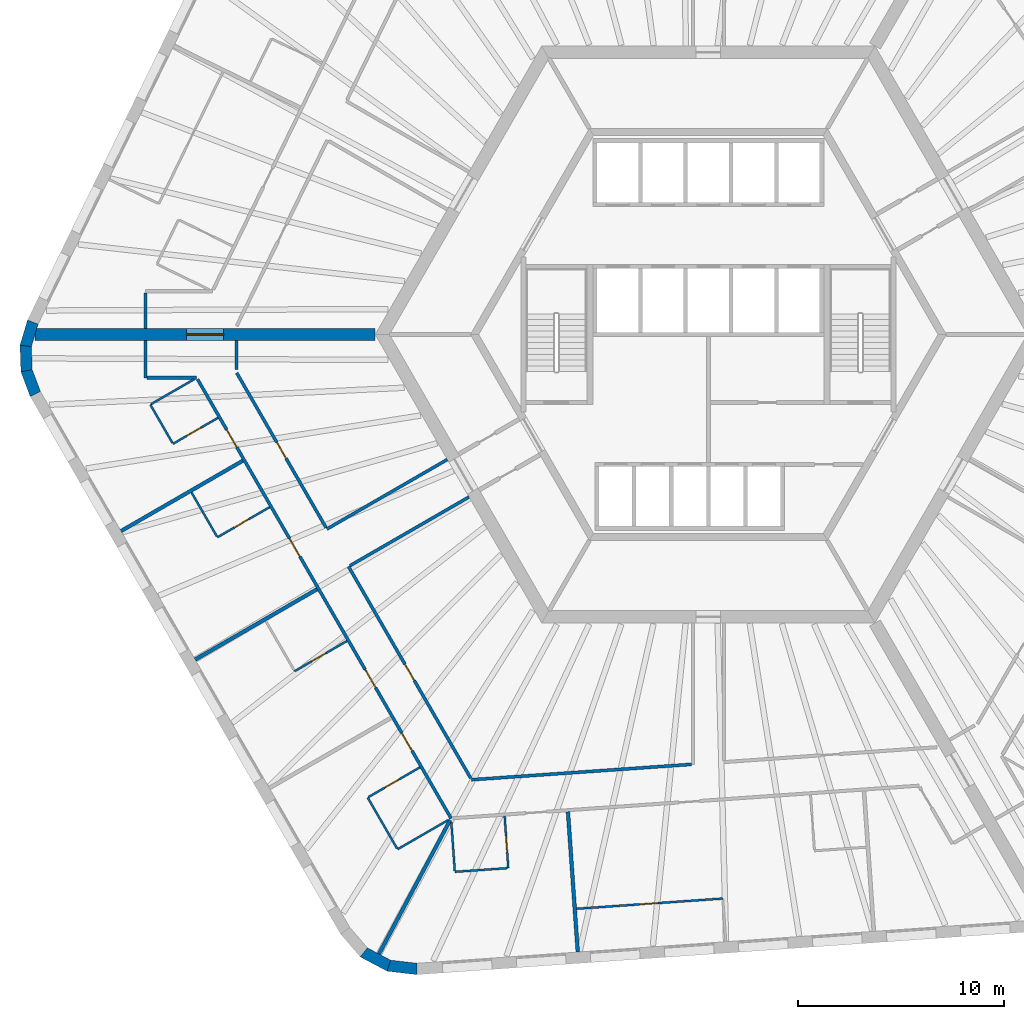
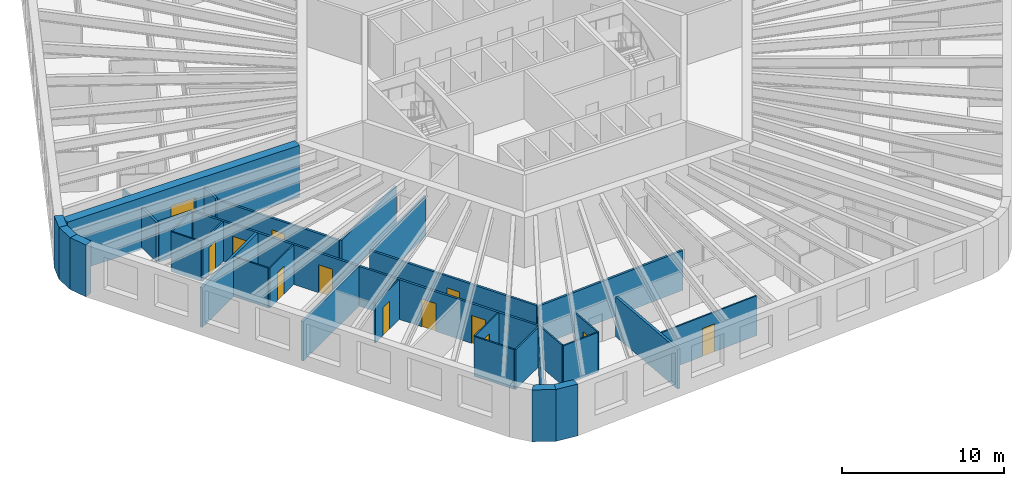
# One storey, part 3 of 12: 33 walls, 13 doors, 13 openings.
"""IFC4 building model written with IfcOpenShell, lengths in metres."""

from ifc_helpers import new_model, si_unit, direction, frame, frame_2d, origin, place, context, subcontext, project, spatial, polyline, rectangle, outline, extrude, material, layer, layer_set, type_object, element, fill, save


model = new_model("IFC4")

# Units and contexts
model_context = context("Model", 3, precision=1e-05, world=origin(), true_north=direction((0.0, 1.0)))
body_context = subcontext(model_context, "Body", "Model", "MODEL_VIEW")
ifc_project = project(units=[si_unit("LENGTHUNIT", "METRE"), si_unit("AREAUNIT", "SQUARE_METRE"), si_unit("VOLUMEUNIT", "CUBIC_METRE"), si_unit("PLANEANGLEUNIT", "RADIAN"), si_unit("MASSUNIT", "GRAM", prefix="KILO")], contexts=[model_context])

# Site, building, storey
site_placement = place(None, origin())
site = spatial("IfcSite", under=ifc_project, at=site_placement, CompositionType="ELEMENT")
building_placement = place(site_placement, origin())
building = spatial("IfcBuilding", under=site, at=building_placement, Name="Tarnside Tower", CompositionType="ELEMENT")
storey_placement = place(building_placement, frame((0.0, 0.0, 53.10009765625)))
storey = spatial("IfcBuildingStorey", under=building, at=storey_placement, Name="L10", CompositionType="ELEMENT", Elevation=53.10009765625)

# Wall, opening, door
ifc_material_1 = material(Name="Gypsum board partition on steel studs", Category="steel")
ifc_layer_1 = layer(ifc_material_1, 0.10009765625)
ifc_layer_set_1 = layer_set([ifc_layer_1], Name="Bathroom wall 100")
wall_type_1 = type_object("IfcWallType", Name="Bathroom wall 100", PredefinedType="PARTITIONING", material=ifc_layer_set_1)
wall_1_placement = place(storey_placement, frame((-23.791015625, -4.042724609375, 0.0), z_axis=(0.0, 0.0, 1.0), x_axis=(-0.866039067339, -0.499976333282, 0.0)))
wall_1 = element("IfcWall", 1, at=wall_1_placement, inside=storey, type_object=wall_type_1, Name="Bathroom wall 02101", PredefinedType="PARTITIONING", context=body_context, shape_type="SweptSolid", body=[
    extrude(rectangle(XDim=2.52490234375, YDim=0.10009765625, at=frame_2d((1.262451171875, 0.0))), origin(), (0.0, 0.0, 1.0), 2.98779296875),
])
opening_1_placement = place(wall_1_placement, frame((0.955078125, 0.0, 0.0)))
opening_1 = element("IfcOpeningElement", 2, at=opening_1_placement, cuts=wall_1, Name="Opening D-B1", PredefinedType="OPENING", context=body_context, shape_type="SweptSolid", body=[
    extrude(rectangle(XDim=0.800048828125, YDim=2.10009765625, at=frame_2d((0.39990234375, 1.050048828125))), frame((0.0, 0.06005859375, 0.0), z_axis=(0.0, -1.0, 0.0), x_axis=(1.0, 0.0, 0.0)), (0.0, 0.0, 1.0), 0.1201171875),
])
ifc_material_2 = material(Name="Timber door leaf", Category="wood")
door_type_1 = type_object("IfcDoorType", Name="Bathroom door 800", OperationType="NOTDEFINED", PredefinedType="DOOR", material=ifc_material_2)
door_1_placement = place(opening_1_placement, origin())
door_1 = element("IfcDoor", 3, at=door_1_placement, inside=storey, type_object=door_type_1, Name="Bathroom door 02015", OperationType="SINGLE_SWING_LEFT", OverallHeight=2.10009765625, OverallWidth=0.800048828125, PredefinedType="DOOR", context=body_context, shape_type="SweptSolid", body=[
    extrude(rectangle(XDim=0.800048828125, YDim=2.10009765625, at=frame_2d((0.39990234375, 1.050048828125))), frame((0.0, 0.02490234375, 0.0), z_axis=(0.0, -1.0, 0.0), x_axis=(1.0, 0.0, 0.0)), (0.0, 0.0, 1.0), 0.050048828125),
])
fill(opening_1, door_1)

# Walls
wall_2_placement = place(storey_placement, frame((-26.002685546875, -5.261962890625, 0.0), z_axis=(0.0, 0.0, 1.0), x_axis=(-0.499961633463, 0.866047553582, 0.0)))
element("IfcWall", 4, at=wall_2_placement, inside=storey, type_object=wall_type_1, Name="Bathroom wall 02102", PredefinedType="PARTITIONING", context=body_context, shape_type="SweptSolid", body=[
    extrude(rectangle(XDim=2.150146484375, YDim=0.10009765625, at=frame_2d((1.0751953125, 0.0))), origin(), (0.0, 0.0, 1.0), 2.98779296875),
])
wall_3_placement = place(storey_placement, frame((-27.034423828125, -3.375, 0.0), z_axis=(0.0, 0.0, 1.0), x_axis=(0.866024647952, 0.500001309137, 0.0)))
element("IfcWall", 5, at=wall_3_placement, inside=storey, type_object=wall_type_1, Name="Bathroom wall 02103", PredefinedType="PARTITIONING", context=body_context, shape_type="SweptSolid", body=[
    extrude(rectangle(XDim=2.39990234375, YDim=0.10009765625, at=frame_2d((1.199951171875, 0.0))), origin(), (0.0, 0.0, 1.0), 2.98779296875),
])

# Wall, opening, door
wall_4_placement = place(storey_placement, frame((-21.288330078125, -8.377685546875, 0.0), z_axis=(0.0, 0.0, 1.0), x_axis=(-0.866046596414, -0.499963291492, 0.0)))
wall_4 = element("IfcWall", 6, at=wall_4_placement, inside=storey, type_object=wall_type_1, Name="Bathroom wall 02106", PredefinedType="PARTITIONING", context=body_context, shape_type="SweptSolid", body=[
    extrude(rectangle(XDim=2.925048828125, YDim=0.10009765625, at=frame_2d((1.46240234375, 0.0))), origin(), (0.0, 0.0, 1.0), 2.98779296875),
])
opening_2_placement = place(wall_4_placement, frame((1.175048828125, 0.0, 0.0)))
opening_2 = element("IfcOpeningElement", 7, at=opening_2_placement, cuts=wall_4, Name="Opening D-B1", PredefinedType="OPENING", context=body_context, shape_type="SweptSolid", body=[
    extrude(rectangle(XDim=0.800048828125, YDim=2.10009765625, at=frame_2d((0.39990234375, 1.050048828125))), frame((0.0, 0.06005859375, 0.0), z_axis=(0.0, -1.0, 0.0), x_axis=(1.0, 0.0, 0.0)), (0.0, 0.0, 1.0), 0.1201171875),
])
door_2_placement = place(opening_2_placement, origin())
door_2 = element("IfcDoor", 8, at=door_2_placement, inside=storey, type_object=door_type_1, Name="Bathroom door 02017", OperationType="SINGLE_SWING_LEFT", OverallHeight=2.10009765625, OverallWidth=0.800048828125, PredefinedType="DOOR", context=body_context, shape_type="SweptSolid", body=[
    extrude(rectangle(XDim=0.800048828125, YDim=2.10009765625, at=frame_2d((0.39990234375, 1.050048828125))), frame((0.0, 0.02490234375, 0.0), z_axis=(0.0, -1.0, 0.0), x_axis=(1.0, 0.0, 0.0)), (0.0, 0.0, 1.0), 0.050048828125),
])
fill(opening_2, door_2)

# Wall
wall_5_placement = place(storey_placement, frame((-23.846435546875, -9.796875, 0.0), z_axis=(0.0, 0.0, 1.0), x_axis=(-0.499960120811, 0.86604842682, 0.0)))
element("IfcWall", 9, at=wall_5_placement, inside=storey, type_object=wall_type_1, Name="Bathroom wall 02107", PredefinedType="PARTITIONING", context=body_context, shape_type="SweptSolid", body=[
    extrude(rectangle(XDim=2.460205078125, YDim=0.10009765625, at=frame_2d((1.22998046875, 0.0))), origin(), (0.0, 0.0, 1.0), 2.98779296875),
])

# Wall, opening, door
wall_6_placement = place(storey_placement, frame((-17.538330078125, -14.872802734375, 0.0), z_axis=(0.0, 0.0, 1.0), x_axis=(-0.866046596414, -0.499963291492, 0.0)))
wall_6 = element("IfcWall", 10, at=wall_6_placement, inside=storey, type_object=wall_type_1, Name="Bathroom wall 02110", PredefinedType="PARTITIONING", context=body_context, shape_type="SweptSolid", body=[
    extrude(rectangle(XDim=2.925048828125, YDim=0.10009765625, at=frame_2d((1.46240234375, 0.0))), origin(), (0.0, 0.0, 1.0), 2.98779296875),
])
opening_3_placement = place(wall_6_placement, frame((1.175048828125, 0.0, 0.0)))
opening_3 = element("IfcOpeningElement", 11, at=opening_3_placement, cuts=wall_6, Name="Opening D-B1", PredefinedType="OPENING", context=body_context, shape_type="SweptSolid", body=[
    extrude(rectangle(XDim=0.800048828125, YDim=2.10009765625, at=frame_2d((0.39990234375, 1.050048828125))), frame((0.0, 0.06005859375, 0.0), z_axis=(0.0, -1.0, 0.0), x_axis=(1.0, 0.0, 0.0)), (0.0, 0.0, 1.0), 0.1201171875),
])
door_3_placement = place(opening_3_placement, origin())
door_3 = element("IfcDoor", 12, at=door_3_placement, inside=storey, type_object=door_type_1, Name="Bathroom door 02019", OperationType="SINGLE_SWING_LEFT", OverallHeight=2.10009765625, OverallWidth=0.800048828125, PredefinedType="DOOR", context=body_context, shape_type="SweptSolid", body=[
    extrude(rectangle(XDim=0.800048828125, YDim=2.10009765625, at=frame_2d((0.39990234375, 1.050048828125))), frame((0.0, 0.02490234375, 0.0), z_axis=(0.0, -1.0, 0.0), x_axis=(1.0, 0.0, 0.0)), (0.0, 0.0, 1.0), 0.050048828125),
])
fill(opening_3, door_3)

# Walls
wall_7_placement = place(storey_placement, frame((-12.631591796875, -23.5634765625, 0.0), z_axis=(0.0, 0.0, 1.0), x_axis=(-0.866014564827, -0.500018773155, 0.0)))
element("IfcWall", 13, at=wall_7_placement, inside=storey, type_object=wall_type_1, Name="Bathroom wall 02113", PredefinedType="PARTITIONING", context=body_context, shape_type="SweptSolid", body=[
    extrude(rectangle(XDim=2.8291015625, YDim=0.10009765625, at=frame_2d((1.41455078125, 0.0))), origin(), (0.0, 0.0, 1.0), 2.98779296875),
])
wall_8_placement = place(storey_placement, frame((-15.1064453125, -24.9345703125, 0.0), z_axis=(0.0, 0.0, 1.0), x_axis=(-0.500036373335, 0.866004402611, 0.0)))
element("IfcWall", 14, at=wall_8_placement, inside=storey, type_object=wall_type_1, Name="Bathroom wall 02114", PredefinedType="PARTITIONING", context=body_context, shape_type="SweptSolid", body=[
    extrude(rectangle(XDim=2.849853515625, YDim=0.10009765625, at=frame_2d((1.4248046875, 0.0))), origin(), (0.0, 0.0, 1.0), 2.98779296875),
])

# Wall, opening, door
wall_9_placement = place(storey_placement, frame((-16.48828125, -22.44140625, 0.0), z_axis=(0.0, 0.0, 1.0), x_axis=(0.866018712932, 0.500011588718, 0.0)))
wall_9 = element("IfcWall", 15, at=wall_9_placement, inside=storey, type_object=wall_type_1, Name="Bathroom wall 02115", PredefinedType="PARTITIONING", context=body_context, shape_type="SweptSolid", body=[
    extrude(rectangle(XDim=2.875, YDim=0.10009765625, at=frame_2d((1.4375, 0.0))), origin(), (0.0, 0.0, 1.0), 2.98779296875),
])
opening_4_placement = place(wall_9_placement, frame((0.89990234375, 0.0, 0.0)))
opening_4 = element("IfcOpeningElement", 16, at=opening_4_placement, cuts=wall_9, Name="Opening D-B1", PredefinedType="OPENING", context=body_context, shape_type="SweptSolid", body=[
    extrude(rectangle(XDim=0.800048828125, YDim=2.10009765625, at=frame_2d((0.39990234375, 1.050048828125))), frame((0.0, 0.06005859375, 0.0), z_axis=(0.0, -1.0, 0.0), x_axis=(1.0, 0.0, 0.0)), (0.0, 0.0, 1.0), 0.1201171875),
])
door_4_placement = place(opening_4_placement, origin())
door_4 = element("IfcDoor", 17, at=door_4_placement, inside=storey, type_object=door_type_1, Name="Bathroom door 02021", OperationType="SINGLE_SWING_RIGHT", OverallHeight=2.10009765625, OverallWidth=0.800048828125, PredefinedType="DOOR", context=body_context, shape_type="SweptSolid", body=[
    extrude(rectangle(XDim=0.800048828125, YDim=2.10009765625, at=frame_2d((0.39990234375, 1.050048828125))), frame((0.0, 0.02490234375, 0.0), z_axis=(0.0, -1.0, 0.0), x_axis=(1.0, 0.0, 0.0)), (0.0, 0.0, 1.0), 0.050048828125),
])
fill(opening_4, door_4)

wall_10_placement = place(storey_placement, frame((-9.884521484375, -23.371337890625, 0.0), z_axis=(0.0, 0.0, 1.0), x_axis=(0.069707901556, -0.99756744557, 0.0)))
wall_10 = element("IfcWall", 18, at=wall_10_placement, inside=storey, type_object=wall_type_1, Name="Bathroom wall 02117", PredefinedType="PARTITIONING", context=body_context, shape_type="SweptSolid", body=[
    extrude(rectangle(XDim=2.525146484375, YDim=0.10009765625, at=frame_2d((1.2626953125, 0.0))), origin(), (0.0, 0.0, 1.0), 2.98779296875),
])
opening_5_placement = place(wall_10_placement, frame((0.955078125, 0.0, 0.0)))
opening_5 = element("IfcOpeningElement", 19, at=opening_5_placement, cuts=wall_10, Name="Opening D-B1", PredefinedType="OPENING", context=body_context, shape_type="SweptSolid", body=[
    extrude(rectangle(XDim=0.800048828125, YDim=2.10009765625, at=frame_2d((0.39990234375, 1.050048828125))), frame((0.0, 0.06005859375, 0.0), z_axis=(0.0, -1.0, 0.0), x_axis=(1.0, 0.0, 0.0)), (0.0, 0.0, 1.0), 0.1201171875),
])
door_5_placement = place(opening_5_placement, origin())
door_5 = element("IfcDoor", 20, at=door_5_placement, inside=storey, type_object=door_type_1, Name="Bathroom door 02023", OperationType="SINGLE_SWING_LEFT", OverallHeight=2.10009765625, OverallWidth=0.800048828125, PredefinedType="DOOR", context=body_context, shape_type="SweptSolid", body=[
    extrude(rectangle(XDim=0.800048828125, YDim=2.10009765625, at=frame_2d((0.39990234375, 1.050048828125))), frame((0.0, 0.02490234375, 0.0), z_axis=(0.0, -1.0, 0.0), x_axis=(1.0, 0.0, 0.0)), (0.0, 0.0, 1.0), 0.050048828125),
])
fill(opening_5, door_5)

# Walls
wall_11_placement = place(storey_placement, frame((-9.75830078125, -25.893798828125, 0.0), z_axis=(0.0, 0.0, 1.0), x_axis=(-0.997561167558, -0.069797686069, 0.0)))
element("IfcWall", 21, at=wall_11_placement, inside=storey, type_object=wall_type_1, Name="Bathroom wall 02118", PredefinedType="PARTITIONING", context=body_context, shape_type="SweptSolid", body=[
    extrude(rectangle(XDim=2.5498046875, YDim=0.10009765625, at=frame_2d((1.27490234375, 0.0))), origin(), (0.0, 0.0, 1.0), 2.98779296875),
])
wall_12_placement = place(storey_placement, frame((-12.3056640625, -26.021728515625, 0.0), z_axis=(0.0, 0.0, 1.0), x_axis=(-0.069686144822, 0.997568965646, 0.0)))
element("IfcWall", 22, at=wall_12_placement, inside=storey, type_object=wall_type_1, Name="Bathroom wall 02119", PredefinedType="PARTITIONING", context=body_context, shape_type="SweptSolid", body=[
    extrude(rectangle(XDim=2.37890625, YDim=0.10009765625, at=frame_2d((1.189453125, 0.0))), origin(), (0.0, 0.0, 1.0), 2.98779296875),
])

# Wall, opening, door
ifc_material_3 = material(Name="Concrete C80/95", Category="concrete")
ifc_layer_2 = layer(ifc_material_3, 0.60009765625)
ifc_layer_set_2 = layer_set([ifc_layer_2], Name="Core wall Z1 600 C80/95")
wall_type_2 = type_object("IfcWallType", Name="Core wall Z1 600 C80/95", PredefinedType="SHEAR", material=ifc_layer_set_2)
wall_13_placement = place(storey_placement, frame((-16.165771484375, 0.0, -0.150146484375), z_axis=(0.0, 0.0, 1.0), x_axis=(-1.0, 0.0, 0.0)))
wall_13 = element("IfcWall", 23, at=wall_13_placement, inside=storey, type_object=wall_type_2, Name="L10 spine wall 2", PredefinedType="SHEAR", context=body_context, shape_type="SweptSolid", body=[
    extrude(rectangle(XDim=16.509033203125, YDim=0.60009765625, at=frame_2d((8.25439453125, 0.0))), origin(), (0.0, 0.0, 1.0), 3.900146484375),
])
opening_6_placement = place(wall_13_placement, frame((7.3544921875, 0.0, 0.14990234375)))
opening_6 = element("IfcOpeningElement", 24, at=opening_6_placement, cuts=wall_13, Name="Opening CD-SPN", PredefinedType="OPENING", context=body_context, shape_type="SweptSolid", body=[
    extrude(rectangle(XDim=1.800048828125, YDim=2.39990234375, at=frame_2d((0.89990234375, 1.199951171875))), frame((0.0, 0.31005859375, 0.0), z_axis=(0.0, -1.0, 0.0), x_axis=(1.0, 0.0, 0.0)), (0.0, 0.0, 1.0), 0.6201171875),
])
ifc_material_4 = material(Name="Steel fire door", Category="steel")
door_type_2 = type_object("IfcDoorType", Name="Spine passage double door FD60 1800x2400", OperationType="NOTDEFINED", PredefinedType="DOOR", material=ifc_material_4)
door_6_placement = place(opening_6_placement, origin())
door_6 = element("IfcDoor", 25, at=door_6_placement, inside=storey, type_object=door_type_2, Name="L10 spine passage door 2", OperationType="DOUBLE_DOOR_SINGLE_SWING", OverallHeight=2.39990234375, OverallWidth=1.800048828125, PredefinedType="DOOR", context=body_context, shape_type="SweptSolid", body=[
    extrude(rectangle(XDim=1.800048828125, YDim=2.39990234375, at=frame_2d((0.89990234375, 1.199951171875))), frame((0.0, 0.02490234375, 0.0), z_axis=(0.0, -1.0, 0.0), x_axis=(1.0, 0.0, 0.0)), (0.0, 0.0, 1.0), 0.050048828125),
])
fill(opening_6, door_6)

# Walls
ifc_layer_3 = layer(ifc_material_1, 0.14990234375)
ifc_layer_set_3 = layer_set([ifc_layer_3], Name="Corridor wall 150 EI 60")
wall_type_3 = type_object("IfcWallType", Name="Corridor wall 150 EI 60", PredefinedType="PARTITIONING", material=ifc_layer_set_3)
wall_14_placement = place(storey_placement, frame((-27.3203125, 2.02490234375, 0.0), z_axis=(0.0, 0.0, 1.0), x_axis=(0.0, -1.0, 0.0)))
element("IfcWall", 26, at=wall_14_placement, inside=storey, type_object=wall_type_3, Name="Corridor wall 02010", PredefinedType="PARTITIONING", context=body_context, shape_type="SweptSolid", body=[
    extrude(rectangle(XDim=1.724853515625, YDim=0.14990234375, at=frame_2d((0.8623046875, 0.0))), origin(), (0.0, 0.0, 1.0), 2.98779296875),
])
wall_15_placement = place(storey_placement, frame((-27.3203125, -0.300048828125, 0.0), z_axis=(0.0, 0.0, 1.0), x_axis=(0.0, -1.0, 0.0)))
element("IfcWall", 27, at=wall_15_placement, inside=storey, type_object=wall_type_3, Name="Corridor wall 02022", PredefinedType="PARTITIONING", context=body_context, shape_type="SweptSolid", body=[
    extrude(rectangle(XDim=1.800048828125, YDim=0.14990234375, at=frame_2d((0.89990234375, 0.0))), origin(), (0.0, 0.0, 1.0), 2.98779296875),
])
wall_16_placement = place(storey_placement, frame((-27.245361328125, -2.10009765625, 0.0), z_axis=(0.0, 0.0, 1.0), x_axis=(1.0, 0.0, 0.0)))
element("IfcWall", 28, at=wall_16_placement, inside=storey, type_object=wall_type_3, Name="Corridor wall 02023", PredefinedType="PARTITIONING", context=body_context, shape_type="SweptSolid", body=[
    extrude(rectangle(XDim=2.419189453125, YDim=0.14990234375, at=frame_2d((1.20947265625, 0.0))), origin(), (0.0, 0.0, 1.0), 2.98779296875),
])

# Wall, openings, doors
wall_17_placement = place(storey_placement, frame((-24.78271484375, -2.175048828125, 0.0), z_axis=(0.0, 0.0, 1.0), x_axis=(0.500001098408, -0.866024769617, 0.0)))
wall_17 = element("IfcWall", 29, at=wall_17_placement, inside=storey, type_object=wall_type_3, Name="Corridor wall 02024", PredefinedType="PARTITIONING", context=body_context, shape_type="SweptSolid", body=[
    extrude(rectangle(XDim=24.5986328125, YDim=0.14990234375, at=frame_2d((12.29931640625, 0.0))), origin(), (0.0, 0.0, 1.0), 2.98779296875),
])
opening_7_placement = place(wall_17_placement, frame((2.816162109375, 0.0, 0.0)))
opening_7 = element("IfcOpeningElement", 30, at=opening_7_placement, cuts=wall_17, Name="Opening D-E1", PredefinedType="OPENING", context=body_context, shape_type="SweptSolid", body=[
    extrude(rectangle(XDim=1.0, YDim=2.10009765625, at=frame_2d((0.5, 1.050048828125))), frame((0.0, 0.0849609375, 0.0), z_axis=(0.0, -1.0, 0.0), x_axis=(1.0, 0.0, 0.0)), (0.0, 0.0, 1.0), 0.169921875),
])
opening_8_placement = place(wall_17_placement, frame((8.9189453125, 0.0, 0.0)))
opening_8 = element("IfcOpeningElement", 31, at=opening_8_placement, cuts=wall_17, Name="Opening D-E1", PredefinedType="OPENING", context=body_context, shape_type="SweptSolid", body=[
    extrude(rectangle(XDim=1.0, YDim=2.10009765625, at=frame_2d((0.5, 1.050048828125))), frame((0.0, 0.0849609375, 0.0), z_axis=(0.0, -1.0, 0.0), x_axis=(1.0, 0.0, 0.0)), (0.0, 0.0, 1.0), 0.169921875),
])
opening_9_placement = place(wall_17_placement, frame((16.268798828125, 0.0, 0.0)))
opening_9 = element("IfcOpeningElement", 32, at=opening_9_placement, cuts=wall_17, Name="Opening D-E1", PredefinedType="OPENING", context=body_context, shape_type="SweptSolid", body=[
    extrude(rectangle(XDim=1.0, YDim=2.10009765625, at=frame_2d((0.5, 1.050048828125))), frame((0.0, 0.0849609375, 0.0), z_axis=(0.0, -1.0, 0.0), x_axis=(1.0, 0.0, 0.0)), (0.0, 0.0, 1.0), 0.169921875),
])
opening_10_placement = place(wall_17_placement, frame((19.80859375, 0.0, 0.0)))
opening_10 = element("IfcOpeningElement", 33, at=opening_10_placement, cuts=wall_17, Name="Opening D-E1", PredefinedType="OPENING", context=body_context, shape_type="SweptSolid", body=[
    extrude(rectangle(XDim=1.0, YDim=2.10009765625, at=frame_2d((0.5, 1.050048828125))), frame((0.0, 0.0849609375, 0.0), z_axis=(0.0, -1.0, 0.0), x_axis=(1.0, 0.0, 0.0)), (0.0, 0.0, 1.0), 0.169921875),
])
door_type_3 = type_object("IfcDoorType", Name="Unit entrance door 1000 FD30S", OperationType="NOTDEFINED", PredefinedType="DOOR", material=ifc_material_2)
door_7_placement = place(opening_7_placement, origin())
door_7 = element("IfcDoor", 34, at=door_7_placement, inside=storey, type_object=door_type_3, Name="Unit door 02014", OperationType="SINGLE_SWING_RIGHT", OverallHeight=2.10009765625, OverallWidth=1.0, PredefinedType="DOOR", context=body_context, shape_type="SweptSolid", body=[
    extrude(rectangle(XDim=1.0, YDim=2.10009765625, at=frame_2d((0.5, 1.050048828125))), frame((0.0, 0.02490234375, 0.0), z_axis=(0.0, -1.0, 0.0), x_axis=(1.0, 0.0, 0.0)), (0.0, 0.0, 1.0), 0.050048828125),
])
fill(opening_7, door_7)
door_8_placement = place(opening_8_placement, origin())
door_8 = element("IfcDoor", 35, at=door_8_placement, inside=storey, type_object=door_type_3, Name="Unit door 02016", OperationType="SINGLE_SWING_LEFT", OverallHeight=2.10009765625, OverallWidth=1.0, PredefinedType="DOOR", context=body_context, shape_type="SweptSolid", body=[
    extrude(rectangle(XDim=1.0, YDim=2.10009765625, at=frame_2d((0.5, 1.050048828125))), frame((0.0, 0.02490234375, 0.0), z_axis=(0.0, -1.0, 0.0), x_axis=(1.0, 0.0, 0.0)), (0.0, 0.0, 1.0), 0.050048828125),
])
fill(opening_8, door_8)
door_9_placement = place(opening_9_placement, origin())
door_9 = element("IfcDoor", 36, at=door_9_placement, inside=storey, type_object=door_type_3, Name="Unit door 02018", OperationType="SINGLE_SWING_LEFT", OverallHeight=2.10009765625, OverallWidth=1.0, PredefinedType="DOOR", context=body_context, shape_type="SweptSolid", body=[
    extrude(rectangle(XDim=1.0, YDim=2.10009765625, at=frame_2d((0.5, 1.050048828125))), frame((0.0, 0.02490234375, 0.0), z_axis=(0.0, -1.0, 0.0), x_axis=(1.0, 0.0, 0.0)), (0.0, 0.0, 1.0), 0.050048828125),
])
fill(opening_9, door_9)
door_10_placement = place(opening_10_placement, origin())
door_10 = element("IfcDoor", 37, at=door_10_placement, inside=storey, type_object=door_type_3, Name="Unit door 02020", OperationType="SINGLE_SWING_RIGHT", OverallHeight=2.10009765625, OverallWidth=1.0, PredefinedType="DOOR", context=body_context, shape_type="SweptSolid", body=[
    extrude(rectangle(XDim=1.0, YDim=2.10009765625, at=frame_2d((0.5, 1.050048828125))), frame((0.0, 0.02490234375, 0.0), z_axis=(0.0, -1.0, 0.0), x_axis=(1.0, 0.0, 0.0)), (0.0, 0.0, 1.0), 0.050048828125),
])
fill(opening_10, door_10)

# Wall
wall_18_placement = place(storey_placement, frame((-12.663818359375, -6.065673828125, 0.0), z_axis=(0.0, 0.0, 1.0), x_axis=(-0.866026575979, -0.499997969693, 0.0)))
element("IfcWall", 38, at=wall_18_placement, inside=storey, type_object=wall_type_3, Name="Corridor wall 02039", PredefinedType="PARTITIONING", context=body_context, shape_type="SweptSolid", body=[
    extrude(rectangle(XDim=6.75, YDim=0.14990234375, at=frame_2d((3.375, 0.0))), origin(), (0.0, 0.0, 1.0), 2.98779296875),
])

# Wall, opening, door
wall_19_placement = place(storey_placement, frame((-18.546875, -9.375732421875, 0.0), z_axis=(0.0, 0.0, 1.0), x_axis=(-0.500002473902, 0.866023975472, 0.0)))
wall_19 = element("IfcWall", 39, at=wall_19_placement, inside=storey, type_object=wall_type_3, Name="Corridor wall 02040", PredefinedType="PARTITIONING", context=body_context, shape_type="SweptSolid", body=[
    extrude(rectangle(XDim=8.67919921875, YDim=0.14990234375, at=frame_2d((4.339599609375, 0.0))), origin(), (0.0, 0.0, 1.0), 2.98779296875),
])
opening_11_placement = place(wall_19_placement, frame((3.8896484375, 0.0, 0.0)))
opening_11 = element("IfcOpeningElement", 40, at=opening_11_placement, cuts=wall_19, Name="Opening D-S1", PredefinedType="OPENING", context=body_context, shape_type="SweptSolid", body=[
    extrude(rectangle(XDim=0.89990234375, YDim=2.10009765625, at=frame_2d((0.449951171875, 1.050048828125))), frame((0.0, 0.0849609375, 0.0), z_axis=(0.0, -1.0, 0.0), x_axis=(1.0, 0.0, 0.0)), (0.0, 0.0, 1.0), 0.169921875),
])
door_type_4 = type_object("IfcDoorType", Name="Service room door 900 FD30S", OperationType="NOTDEFINED", PredefinedType="DOOR", material=ifc_material_2)
door_11_placement = place(opening_11_placement, origin())
door_11 = element("IfcDoor", 41, at=door_11_placement, inside=storey, type_object=door_type_4, Name="Service door 02044", OperationType="SINGLE_SWING_RIGHT", OverallHeight=2.10009765625, OverallWidth=0.89990234375, PredefinedType="DOOR", context=body_context, shape_type="SweptSolid", body=[
    extrude(rectangle(XDim=0.89990234375, YDim=2.10009765625, at=frame_2d((0.449951171875, 1.050048828125))), frame((0.0, 0.02490234375, 0.0), z_axis=(0.0, -1.0, 0.0), x_axis=(1.0, 0.0, 0.0)), (0.0, 0.0, 1.0), 0.050048828125),
])
fill(opening_11, door_11)

# Walls
wall_20_placement = place(storey_placement, frame((-22.886474609375, -1.70947265625, 0.0), z_axis=(0.0, 0.0, 1.0), x_axis=(0.0, 1.0, 0.0)))
element("IfcWall", 42, at=wall_20_placement, inside=storey, type_object=wall_type_3, Name="Corridor wall 02041", PredefinedType="PARTITIONING", context=body_context, shape_type="SweptSolid", body=[
    extrude(rectangle(XDim=1.409423828125, YDim=0.14990234375, at=frame_2d((0.70458984375, 0.0))), origin(), (0.0, 0.0, 1.0), 2.98779296875),
])
wall_21_placement = place(storey_placement, frame((-0.824951171875, -20.8583984375, 0.0), z_axis=(0.0, 0.0, 1.0), x_axis=(-0.997563801863, -0.069760025895, 0.0)))
element("IfcWall", 43, at=wall_21_placement, inside=storey, type_object=wall_type_3, Name="Corridor wall 02043", PredefinedType="PARTITIONING", context=body_context, shape_type="SweptSolid", body=[
    extrude(rectangle(XDim=10.688232421875, YDim=0.14990234375, at=frame_2d((5.34423828125, 0.0))), origin(), (0.0, 0.0, 1.0), 2.98779296875),
])

# Wall, opening, door
wall_22_placement = place(storey_placement, frame((-11.52880859375, -21.53173828125, 0.0), z_axis=(0.0, 0.0, 1.0), x_axis=(-0.499990893337, 0.866030661455, 0.0)))
wall_22 = element("IfcWall", 44, at=wall_22_placement, inside=storey, type_object=wall_type_3, Name="Corridor wall 02044", PredefinedType="PARTITIONING", context=body_context, shape_type="SweptSolid", body=[
    extrude(rectangle(XDim=11.861572265625, YDim=0.14990234375, at=frame_2d((5.9306640625, 0.0))), origin(), (0.0, 0.0, 1.0), 2.98779296875),
])
opening_12_placement = place(wall_22_placement, frame((5.480712890625, 0.0, 0.0)))
opening_12 = element("IfcOpeningElement", 45, at=opening_12_placement, cuts=wall_22, Name="Opening D-S1", PredefinedType="OPENING", context=body_context, shape_type="SweptSolid", body=[
    extrude(rectangle(XDim=0.89990234375, YDim=2.10009765625, at=frame_2d((0.449951171875, 1.050048828125))), frame((0.0, 0.0849609375, 0.0), z_axis=(0.0, -1.0, 0.0), x_axis=(1.0, 0.0, 0.0)), (0.0, 0.0, 1.0), 0.169921875),
])
door_12_placement = place(opening_12_placement, origin())
door_12 = element("IfcDoor", 46, at=door_12_placement, inside=storey, type_object=door_type_4, Name="Service door 02045", OperationType="SINGLE_SWING_RIGHT", OverallHeight=2.10009765625, OverallWidth=0.89990234375, PredefinedType="DOOR", context=body_context, shape_type="SweptSolid", body=[
    extrude(rectangle(XDim=0.89990234375, YDim=2.10009765625, at=frame_2d((0.449951171875, 1.050048828125))), frame((0.0, 0.02490234375, 0.0), z_axis=(0.0, -1.0, 0.0), x_axis=(1.0, 0.0, 0.0)), (0.0, 0.0, 1.0), 0.050048828125),
])
fill(opening_12, door_12)

# Walls
wall_23_placement = place(storey_placement, frame((-17.39453125, -11.221923828125, 0.0), z_axis=(0.0, 0.0, 1.0), x_axis=(0.86601747984, 0.500013724423, 0.0)))
element("IfcWall", 47, at=wall_23_placement, inside=storey, type_object=wall_type_3, Name="Corridor wall 02045", PredefinedType="PARTITIONING", context=body_context, shape_type="SweptSolid", body=[
    extrude(rectangle(XDim=6.675048828125, YDim=0.14990234375, at=frame_2d((3.33740234375, 0.0))), origin(), (0.0, 0.0, 1.0), 2.98779296875),
])
ifc_layer_4 = layer(ifc_material_1, 0.179931640625)
ifc_layer_set_4 = layer_set([ifc_layer_4], Name="Demising wall 180 EI 60")
wall_type_4 = type_object("IfcWallType", Name="Demising wall 180 EI 60", PredefinedType="PARTITIONING", material=ifc_layer_set_4)
for number, where, z_axis, x_axis, name in (
    (48, (-28.4990234375, -9.538330078125, 0.0), (0.0, 0.0, 1.0), (0.866035472144, 0.499982560684, 0.0), "Demising wall 02104"),
    (49, (-24.89892578125, -15.773681640625, 0.0), (0.0, 0.0, 1.0), (0.866035472144, 0.499982560684, 0.0), "Demising wall 02108"),
):
    element("IfcWall", number, at=place(storey_placement, frame(where, z_axis=z_axis, x_axis=x_axis)), inside=storey, type_object=wall_type_4, Name=name, PredefinedType="PARTITIONING", context=body_context, shape_type="SweptSolid", body=[
        extrude(rectangle(XDim=6.824951171875, YDim=0.179931640625, at=frame_2d((3.41259765625, 0.0))), origin(), (0.0, 0.0, 1.0), 2.98779296875),
    ])
wall_24_placement = place(storey_placement, frame((-15.98291015625, -30.059326171875, 0.0), z_axis=(0.0, 0.0, 1.0), x_axis=(0.469493679368, 0.882935832909, 0.0)))
element("IfcWall", 50, at=wall_24_placement, inside=storey, type_object=wall_type_4, Name="Demising wall 02116", PredefinedType="PARTITIONING", context=body_context, shape_type="SweptSolid", body=[
    extrude(rectangle(XDim=7.365478515625, YDim=0.179931640625, at=frame_2d((3.6826171875, 0.0))), origin(), (0.0, 0.0, 1.0), 2.98779296875),
])
wall_25_placement = place(storey_placement, frame((-6.336181640625, -29.965087890625, 0.0), z_axis=(0.0, 0.0, 1.0), x_axis=(-0.069790326764, 0.997561682449, 0.0)))
element("IfcWall", 51, at=wall_25_placement, inside=storey, type_object=wall_type_4, Name="Demising wall 02120", PredefinedType="PARTITIONING", context=body_context, shape_type="SweptSolid", body=[
    extrude(rectangle(XDim=6.824951171875, YDim=0.179931640625, at=frame_2d((3.41259765625, 0.0))), origin(), (0.0, 0.0, 1.0), 2.98779296875),
])

# Wall, opening, door
ifc_layer_5 = layer(ifc_material_1, 0.10009765625)
ifc_layer_set_5 = layer_set([ifc_layer_5], Name="Partition 100")
wall_type_5 = type_object("IfcWallType", Name="Partition 100", PredefinedType="PARTITIONING", material=ifc_layer_set_5)
wall_26_placement = place(storey_placement, frame((-6.39306640625, -27.86376953125, 0.0), z_axis=(0.0, 0.0, 1.0), x_axis=(0.997565277642, 0.069738919141, 0.0)))
wall_26 = element("IfcWall", 52, at=wall_26_placement, inside=storey, type_object=wall_type_5, Name="Partition wall 02124", PredefinedType="PARTITIONING", context=body_context, shape_type="SweptSolid", body=[
    extrude(rectangle(XDim=7.110107421875, YDim=0.10009765625, at=frame_2d((3.55517578125, 0.0))), origin(), (0.0, 0.0, 1.0), 2.98779296875),
])
opening_13_placement = place(wall_26_placement, frame((3.06005859375, 0.0, 0.0)))
opening_13 = element("IfcOpeningElement", 53, at=opening_13_placement, cuts=wall_26, Name="Opening D-I1", PredefinedType="OPENING", context=body_context, shape_type="SweptSolid", body=[
    extrude(rectangle(XDim=0.89990234375, YDim=2.10009765625, at=frame_2d((0.449951171875, 1.050048828125))), frame((0.0, 0.06005859375, 0.0), z_axis=(0.0, -1.0, 0.0), x_axis=(1.0, 0.0, 0.0)), (0.0, 0.0, 1.0), 0.1201171875),
])
door_type_5 = type_object("IfcDoorType", Name="Internal door 900", OperationType="NOTDEFINED", PredefinedType="DOOR", material=ifc_material_2)
door_13_placement = place(opening_13_placement, origin())
door_13 = element("IfcDoor", 54, at=door_13_placement, inside=storey, type_object=door_type_5, Name="Internal door 02026", OperationType="SINGLE_SWING_RIGHT", OverallHeight=2.10009765625, OverallWidth=0.89990234375, PredefinedType="DOOR", context=body_context, shape_type="SweptSolid", body=[
    extrude(rectangle(XDim=0.89990234375, YDim=2.10009765625, at=frame_2d((0.449951171875, 1.050048828125))), frame((0.0, 0.02490234375, 0.0), z_axis=(0.0, -1.0, 0.0), x_axis=(1.0, 0.0, 0.0)), (0.0, 0.0, 1.0), 0.050048828125),
])
fill(opening_13, door_13)

# Walls
ifc_material_5 = material(Name="Facing brick", Category="masonry")
ifc_layer_6 = layer(ifc_material_5, 0.10205078125)
ifc_material_6 = material(Name="Concrete C60/75 precast", Category="concrete")
ifc_layer_7 = layer(ifc_material_6, 0.347900390625)
ifc_material_7 = material(Name="Mineral wool insulation")
ifc_layer_8 = layer(ifc_material_7, 0.10009765625)
ifc_layer_set_6 = layer_set([ifc_layer_6, ifc_layer_7, ifc_layer_8], Name="Tube wall 550 brick faced")
wall_type_6 = type_object("IfcWallType", Name="Tube wall 550 brick faced", PredefinedType="SOLIDWALL", material=ifc_layer_set_6)
wall_27_placement = place(storey_placement, frame((-32.77685546875, 0.605224609375, -0.150146484375), z_axis=(0.0, 0.0, 1.0), x_axis=(-0.286921497463, -0.957954098219, 0.0)))
element("IfcWall", 55, at=wall_27_placement, inside=storey, type_object=wall_type_6, Name="Tube wall L10 F2 chord 05", PredefinedType="SOLIDWALL", context=body_context, shape_type="SweptSolid", body=[
    extrude(outline(polyline([(-0.0224609375, -0.27490234375), (1.25341796875, -0.27490234375), (1.1630859375, 0.27490234375), (0.0224609375, 0.27490234375), (-0.0224609375, -0.27490234375)])), origin(), (0.0, 0.0, 1.0), 3.900146484375),
])
wall_28_placement = place(storey_placement, frame((-33.12353515625, -0.55224609375, -0.150146484375), z_axis=(0.0, 0.0, 1.0), x_axis=(0.03495638276, -0.999388838893, 0.0)))
element("IfcWall", 56, at=wall_28_placement, inside=storey, type_object=wall_type_6, Name="Tube wall L10 F2 chord 06", PredefinedType="SOLIDWALL", context=body_context, shape_type="SweptSolid", body=[
    extrude(outline(polyline([(-0.045166015625, -0.27490234375), (1.25341796875, -0.27490234375), (1.1630859375, 0.27490234375), (0.045166015625, 0.27490234375), (-0.045166015625, -0.27490234375)])), origin(), (0.0, 0.0, 1.0), 3.900146484375),
])
wall_29_placement = place(storey_placement, frame((-33.081298828125, -1.759765625, -0.150146484375), z_axis=(0.0, 0.0, 1.0), x_axis=(0.353027214741, -0.935613053378, 0.0)))
element("IfcWall", 57, at=wall_29_placement, inside=storey, type_object=wall_type_6, Name="Tube wall L10 F2 chord 07", PredefinedType="SOLIDWALL", context=body_context, shape_type="SweptSolid", body=[
    extrude(outline(polyline([(-0.045166015625, -0.27490234375), (1.230712890625, -0.27490234375), (1.185791015625, 0.27490234375), (0.045166015625, 0.27490234375), (-0.045166015625, -0.27490234375)])), origin(), (0.0, 0.0, 1.0), 3.900146484375),
])
wall_30_placement = place(storey_placement, frame((-16.720703125, -29.978515625, -0.150146484375), z_axis=(0.0, 0.0, 1.0), x_axis=(0.882994189209, -0.469383917304, 0.0)))
element("IfcWall", 58, at=wall_30_placement, inside=storey, type_object=wall_type_6, Name="Tube wall L10 F3 chord 10", PredefinedType="SOLIDWALL", context=body_context, shape_type="SweptSolid", body=[
    extrude(outline(polyline([(-0.0517578125, -0.27490234375), (1.4306640625, -0.27490234375), (1.3271484375, 0.27490234375), (0.0517578125, 0.27490234375), (-0.0517578125, -0.27490234375)])), origin(), (0.0, 0.0, 1.0), 3.900146484375),
])
wall_31_placement = place(storey_placement, frame((-15.503173828125, -30.625732421875, -0.150146484375), z_axis=(0.0, 0.0, 1.0), x_axis=(0.993232537394, -0.11614269956, 0.0)))
element("IfcWall", 59, at=wall_31_placement, inside=storey, type_object=wall_type_6, Name="Tube wall L10 F3 chord 11", PredefinedType="SOLIDWALL", context=body_context, shape_type="SweptSolid", body=[
    extrude(outline(polyline([(-0.0517578125, -0.27490234375), (1.404541015625, -0.27490234375), (1.353271484375, 0.27490234375), (0.0517578125, 0.27490234375), (-0.0517578125, -0.27490234375)])), origin(), (0.0, 0.0, 1.0), 3.900146484375),
])

save(model, "model.ifc")
